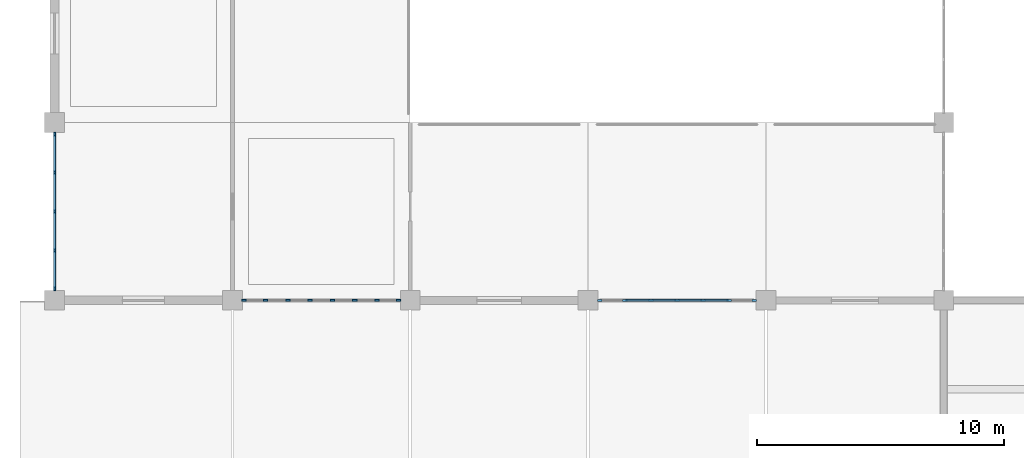
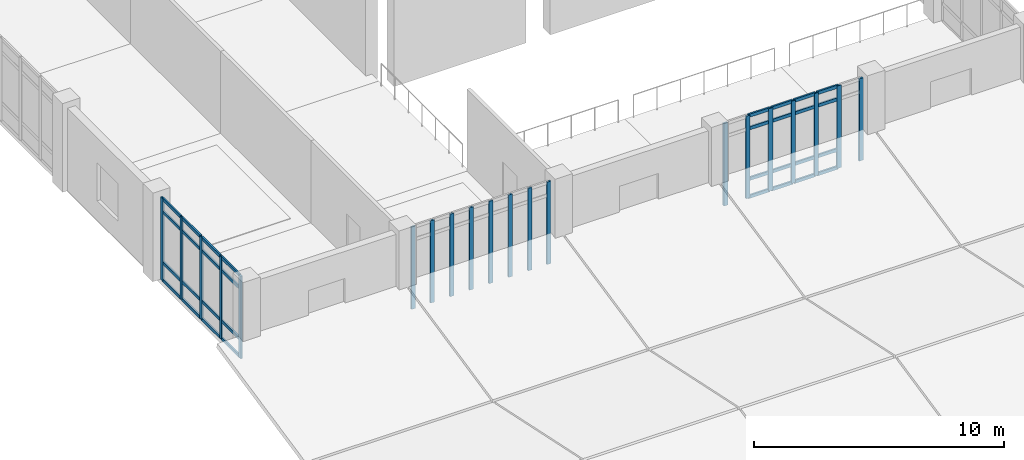
# One storey, part 2 of 70: 52 members, 3 elements without a shape of their own.
"""IFC4 building model written with IfcOpenShell, lengths in metres."""

from ifc_helpers import new_model, si_unit, direction, frame, origin, origin_2d, place, context, subcontext, project, spatial, rectangle, extrude, material, layer, layer_set, material_profile, profile_set, type_object, element, aggregate, save


model = new_model("IFC4")

# Units and contexts
model_context = context("Model", 3, precision=1e-05, world=origin(), true_north=direction((0.0, 1.0)))
body_context = subcontext(model_context, "Body", "Model", "MODEL_VIEW")
ifc_project = project(units=[si_unit("LENGTHUNIT", "METRE"), si_unit("AREAUNIT", "SQUARE_METRE"), si_unit("VOLUMEUNIT", "CUBIC_METRE"), si_unit("PLANEANGLEUNIT", "RADIAN"), si_unit("MASSUNIT", "GRAM", prefix="KILO")], contexts=[model_context])

# Site, building, storey
site_placement = place(None, origin())
site = spatial("IfcSite", under=ifc_project, at=site_placement, CompositionType="ELEMENT")
building_placement = place(site_placement, origin())
building = spatial("IfcBuilding", under=site, at=building_placement, Name="Kavelor Marine Aquarium", CompositionType="ELEMENT")
storey_placement = place(building_placement, frame((0.0, 0.0, 9.179931640625)))
storey = spatial("IfcBuildingStorey", under=building, at=storey_placement, Name="L02", CompositionType="ELEMENT", Elevation=9.179931640625)

# Curtain wall, members
ifc_material_1 = material(Name="Thermally Broken Aluminium and Low-E Glass", Category="aluminium")
ifc_layer_1 = layer(ifc_material_1, 0.243896484375)
ifc_layer_set_1 = layer_set([ifc_layer_1], Name="CW-SYS13")
curtain_wall_type_1 = type_object("IfcCurtainWallType", Name="CW-SYS13", PredefinedType="USERDEFINED", material=ifc_layer_set_1)
curtain_wall_1_placement = place(storey_placement, origin())
curtain_wall_1 = element("IfcCurtainWall", 1, at=curtain_wall_1_placement, inside=storey, type_object=curtain_wall_type_1, Name="cw:y:L02:00_03", ObjectType="Curtain Wall", PredefinedType="USERDEFINED")
ifc_material_2 = material(Name="Anodised Aluminium Alloy 6063-T6", Category="aluminium")
ifc_material_profile_1 = material_profile(ifc_material_2, rectangle(XDim=0.074951171875, YDim=0.179931640625, at=origin_2d()), Name="CW-MUL 75x180")
ifc_profile_set_1 = profile_set([ifc_material_profile_1], Name="Anodised Aluminium Alloy 6063-T6")
member_type_1 = type_object("IfcMemberType", Name="CWM-1", PredefinedType="MULLION", material=ifc_profile_set_1)
member_1_placement = place(storey_placement, frame((3.199951171875, 31.117431640625, 0.0), z_axis=(0.0, 0.0, 1.0), x_axis=(1.0, 0.0, 0.0)))
member_1 = element("IfcMember", 2, at=member_1_placement, type_object=member_type_1, Name="CW13 mullion 1", PredefinedType="MULLION", context=body_context, shape_type="SweptSolid", body=[
    extrude(rectangle(XDim=0.074951171875, YDim=0.179931640625, at=origin_2d()), origin(), (0.0, 0.0, 1.0), 4.02001953125),
])
member_2_placement = place(storey_placement, frame((3.199951171875, 29.577392578125, 0.0), z_axis=(0.0, 0.0, 1.0), x_axis=(1.0, 0.0, 0.0)))
member_2 = element("IfcMember", 3, at=member_2_placement, type_object=member_type_1, Name="CW13 mullion 2", PredefinedType="MULLION", context=body_context, shape_type="SweptSolid", body=[
    extrude(rectangle(XDim=0.074951171875, YDim=0.179931640625, at=origin_2d()), origin(), (0.0, 0.0, 1.0), 4.02001953125),
])
member_3_placement = place(storey_placement, frame((3.199951171875, 28.0, 0.0), z_axis=(0.0, 0.0, 1.0), x_axis=(1.0, 0.0, 0.0)))
member_3 = element("IfcMember", 4, at=member_3_placement, type_object=member_type_1, Name="CW13 mullion 3", PredefinedType="MULLION", context=body_context, shape_type="SweptSolid", body=[
    extrude(rectangle(XDim=0.074951171875, YDim=0.179931640625, at=origin_2d()), origin(), (0.0, 0.0, 1.0), 4.02001953125),
])
member_4_placement = place(storey_placement, frame((3.199951171875, 26.422607421875, 0.0), z_axis=(0.0, 0.0, 1.0), x_axis=(1.0, 0.0, 0.0)))
member_4 = element("IfcMember", 5, at=member_4_placement, type_object=member_type_1, Name="CW13 mullion 4", PredefinedType="MULLION", context=body_context, shape_type="SweptSolid", body=[
    extrude(rectangle(XDim=0.074951171875, YDim=0.179931640625, at=origin_2d()), origin(), (0.0, 0.0, 1.0), 4.02001953125),
])
member_5_placement = place(storey_placement, frame((3.199951171875, 24.882568359375, 0.0), z_axis=(0.0, 0.0, 1.0), x_axis=(1.0, 0.0, 0.0)))
member_5 = element("IfcMember", 6, at=member_5_placement, type_object=member_type_1, Name="CW13 mullion 5", PredefinedType="MULLION", context=body_context, shape_type="SweptSolid", body=[
    extrude(rectangle(XDim=0.074951171875, YDim=0.179931640625, at=origin_2d()), origin(), (0.0, 0.0, 1.0), 4.02001953125),
])

ifc_material_3 = material(Name="Thermally Broken Aluminium and Low-E Glass", Category="aluminium")
ifc_layer_2 = layer(ifc_material_3, 0.156005859375)
ifc_layer_set_2 = layer_set([ifc_layer_2], Name="CW-SYS2")
curtain_wall_type_2 = type_object("IfcCurtainWallType", Name="CW-SYS2", PredefinedType="USERDEFINED", material=ifc_layer_set_2)
curtain_wall_2_placement = place(storey_placement, origin())
curtain_wall_2 = element("IfcCurtainWall", 7, at=curtain_wall_2_placement, inside=storey, type_object=curtain_wall_type_2, Name="cw:x:L02:01_03", ObjectType="Curtain Wall", PredefinedType="USERDEFINED")
ifc_material_4 = material(Name="Anodised Aluminium Alloy 6063-T6", Category="aluminium")
ifc_material_profile_2 = material_profile(ifc_material_4, rectangle(XDim=0.080078125, YDim=0.18505859375, at=origin_2d()), Name="CW-MUL 80x185")
ifc_profile_set_2 = profile_set([ifc_material_profile_2], Name="Anodised Aluminium Alloy 6063-T6")
member_type_2 = type_object("IfcMemberType", Name="CWM-2", PredefinedType="MULLION", material=ifc_profile_set_2)
member_6_placement = place(storey_placement, frame((17.12255859375, 24.39990234375, 0.0), z_axis=(0.0, 0.0, 1.0), x_axis=(0.0, -1.0, 0.0)))
member_6 = element("IfcMember", 8, at=member_6_placement, type_object=member_type_2, Name="CW02 mullion 1", PredefinedType="MULLION", context=body_context, shape_type="SweptSolid", body=[
    extrude(rectangle(XDim=0.080078125, YDim=0.18505859375, at=origin_2d()), origin(), (0.0, 0.0, 1.0), 4.02001953125),
])
member_7_placement = place(storey_placement, frame((16.253662109375, 24.39990234375, 0.0), z_axis=(0.0, 0.0, 1.0), x_axis=(0.0, -1.0, 0.0)))
member_7 = element("IfcMember", 9, at=member_7_placement, type_object=member_type_2, Name="CW02 mullion 2", PredefinedType="MULLION", context=body_context, shape_type="SweptSolid", body=[
    extrude(rectangle(XDim=0.080078125, YDim=0.18505859375, at=origin_2d()), origin(), (0.0, 0.0, 1.0), 4.02001953125),
])
member_8_placement = place(storey_placement, frame((15.35205078125, 24.39990234375, 0.0), z_axis=(0.0, 0.0, 1.0), x_axis=(0.0, -1.0, 0.0)))
member_8 = element("IfcMember", 10, at=member_8_placement, type_object=member_type_2, Name="CW02 mullion 3", PredefinedType="MULLION", context=body_context, shape_type="SweptSolid", body=[
    extrude(rectangle(XDim=0.080078125, YDim=0.18505859375, at=origin_2d()), origin(), (0.0, 0.0, 1.0), 4.02001953125),
])
member_9_placement = place(storey_placement, frame((14.45068359375, 24.39990234375, 0.0), z_axis=(0.0, 0.0, 1.0), x_axis=(0.0, -1.0, 0.0)))
member_9 = element("IfcMember", 11, at=member_9_placement, type_object=member_type_2, Name="CW02 mullion 4", PredefinedType="MULLION", context=body_context, shape_type="SweptSolid", body=[
    extrude(rectangle(XDim=0.080078125, YDim=0.18505859375, at=origin_2d()), origin(), (0.0, 0.0, 1.0), 4.02001953125),
])
member_10_placement = place(storey_placement, frame((13.54931640625, 24.39990234375, 0.0), z_axis=(0.0, 0.0, 1.0), x_axis=(0.0, -1.0, 0.0)))
member_10 = element("IfcMember", 12, at=member_10_placement, type_object=member_type_2, Name="CW02 mullion 5", PredefinedType="MULLION", context=body_context, shape_type="SweptSolid", body=[
    extrude(rectangle(XDim=0.080078125, YDim=0.18505859375, at=origin_2d()), origin(), (0.0, 0.0, 1.0), 4.02001953125),
])
member_11_placement = place(storey_placement, frame((12.64794921875, 24.39990234375, 0.0), z_axis=(0.0, 0.0, 1.0), x_axis=(0.0, -1.0, 0.0)))
member_11 = element("IfcMember", 13, at=member_11_placement, type_object=member_type_2, Name="CW02 mullion 6", PredefinedType="MULLION", context=body_context, shape_type="SweptSolid", body=[
    extrude(rectangle(XDim=0.080078125, YDim=0.18505859375, at=origin_2d()), origin(), (0.0, 0.0, 1.0), 4.02001953125),
])
member_12_placement = place(storey_placement, frame((11.746337890625, 24.39990234375, 0.0), z_axis=(0.0, 0.0, 1.0), x_axis=(0.0, -1.0, 0.0)))
member_12 = element("IfcMember", 14, at=member_12_placement, type_object=member_type_2, Name="CW02 mullion 7", PredefinedType="MULLION", context=body_context, shape_type="SweptSolid", body=[
    extrude(rectangle(XDim=0.080078125, YDim=0.18505859375, at=origin_2d()), origin(), (0.0, 0.0, 1.0), 4.02001953125),
])
member_13_placement = place(storey_placement, frame((10.87744140625, 24.39990234375, 0.0), z_axis=(0.0, 0.0, 1.0), x_axis=(0.0, -1.0, 0.0)))
member_13 = element("IfcMember", 15, at=member_13_placement, type_object=member_type_2, Name="CW02 mullion 8", PredefinedType="MULLION", context=body_context, shape_type="SweptSolid", body=[
    extrude(rectangle(XDim=0.080078125, YDim=0.18505859375, at=origin_2d()), origin(), (0.0, 0.0, 1.0), 4.02001953125),
])
aggregate(curtain_wall_2, [member_6, member_7, member_8, member_9, member_10, member_11, member_12, member_13])

ifc_material_5 = material(Name="Thermally Broken Aluminium and Low-E Glass", Category="aluminium")
ifc_layer_3 = layer(ifc_material_5, 0.1640625)
ifc_layer_set_3 = layer_set([ifc_layer_3], Name="CW-SYS3")
curtain_wall_type_3 = type_object("IfcCurtainWallType", Name="CW-SYS3", PredefinedType="USERDEFINED", material=ifc_layer_set_3)
curtain_wall_3_placement = place(storey_placement, origin())
curtain_wall_3 = element("IfcCurtainWall", 16, at=curtain_wall_3_placement, inside=storey, type_object=curtain_wall_type_3, Name="cw:x:L02:03_03", ObjectType="Curtain Wall", PredefinedType="USERDEFINED")
ifc_material_6 = material(Name="Anodised Aluminium Alloy 6063-T6", Category="aluminium")
ifc_material_profile_3 = material_profile(ifc_material_6, rectangle(XDim=0.0849609375, YDim=0.18994140625, at=origin_2d()), Name="CW-MUL 85x190")
ifc_profile_set_3 = profile_set([ifc_material_profile_3], Name="Anodised Aluminium Alloy 6063-T6")
member_type_3 = type_object("IfcMemberType", Name="CWM-3", PredefinedType="MULLION", material=ifc_profile_set_3)
member_14_placement = place(storey_placement, frame((31.52490234375, 24.39990234375, 0.0), z_axis=(0.0, 0.0, 1.0), x_axis=(0.0, -1.0, 0.0)))
member_14 = element("IfcMember", 17, at=member_14_placement, type_object=member_type_3, Name="CW03 mullion 1", PredefinedType="MULLION", context=body_context, shape_type="SweptSolid", body=[
    extrude(rectangle(XDim=0.0849609375, YDim=0.18994140625, at=origin_2d()), origin(), (0.0, 0.0, 1.0), 4.02001953125),
])
member_15_placement = place(storey_placement, frame((30.50341796875, 24.39990234375, 0.0), z_axis=(0.0, 0.0, 1.0), x_axis=(0.0, -1.0, 0.0)))
member_15 = element("IfcMember", 18, at=member_15_placement, type_object=member_type_3, Name="CW03 mullion 2", PredefinedType="MULLION", context=body_context, shape_type="SweptSolid", body=[
    extrude(rectangle(XDim=0.0849609375, YDim=0.18994140625, at=origin_2d()), origin(), (0.0, 0.0, 1.0), 4.02001953125),
])
member_16_placement = place(storey_placement, frame((29.45166015625, 24.39990234375, 0.0), z_axis=(0.0, 0.0, 1.0), x_axis=(0.0, -1.0, 0.0)))
member_16 = element("IfcMember", 19, at=member_16_placement, type_object=member_type_3, Name="CW03 mullion 3", PredefinedType="MULLION", context=body_context, shape_type="SweptSolid", body=[
    extrude(rectangle(XDim=0.0849609375, YDim=0.18994140625, at=origin_2d()), origin(), (0.0, 0.0, 1.0), 4.02001953125),
])
member_17_placement = place(storey_placement, frame((28.39990234375, 24.39990234375, 0.0), z_axis=(0.0, 0.0, 1.0), x_axis=(0.0, -1.0, 0.0)))
member_17 = element("IfcMember", 20, at=member_17_placement, type_object=member_type_3, Name="CW03 mullion 4", PredefinedType="MULLION", context=body_context, shape_type="SweptSolid", body=[
    extrude(rectangle(XDim=0.0849609375, YDim=0.18994140625, at=origin_2d()), origin(), (0.0, 0.0, 1.0), 4.02001953125),
])
member_18_placement = place(storey_placement, frame((27.348388671875, 24.39990234375, 0.0), z_axis=(0.0, 0.0, 1.0), x_axis=(0.0, -1.0, 0.0)))
member_18 = element("IfcMember", 21, at=member_18_placement, type_object=member_type_3, Name="CW03 mullion 5", PredefinedType="MULLION", context=body_context, shape_type="SweptSolid", body=[
    extrude(rectangle(XDim=0.0849609375, YDim=0.18994140625, at=origin_2d()), origin(), (0.0, 0.0, 1.0), 4.02001953125),
])
member_19_placement = place(storey_placement, frame((26.296630859375, 24.39990234375, 0.0), z_axis=(0.0, 0.0, 1.0), x_axis=(0.0, -1.0, 0.0)))
member_19 = element("IfcMember", 22, at=member_19_placement, type_object=member_type_3, Name="CW03 mullion 6", PredefinedType="MULLION", context=body_context, shape_type="SweptSolid", body=[
    extrude(rectangle(XDim=0.0849609375, YDim=0.18994140625, at=origin_2d()), origin(), (0.0, 0.0, 1.0), 4.02001953125),
])
member_20_placement = place(storey_placement, frame((25.27490234375, 24.39990234375, 0.0), z_axis=(0.0, 0.0, 1.0), x_axis=(0.0, -1.0, 0.0)))
member_20 = element("IfcMember", 23, at=member_20_placement, type_object=member_type_3, Name="CW03 mullion 7", PredefinedType="MULLION", context=body_context, shape_type="SweptSolid", body=[
    extrude(rectangle(XDim=0.0849609375, YDim=0.18994140625, at=origin_2d()), origin(), (0.0, 0.0, 1.0), 4.02001953125),
])

# Member
ifc_material_7 = material(Name="Anodised Aluminium Alloy 6063-T6", Category="aluminium")
ifc_material_profile_4 = material_profile(ifc_material_7, rectangle(XDim=0.074951171875, YDim=0.14990234375, at=origin_2d()), Name="CW-TRN 75x150")
ifc_profile_set_4 = profile_set([ifc_material_profile_4], Name="Anodised Aluminium Alloy 6063-T6")
member_type_4 = type_object("IfcMemberType", Name="CWT-1", PredefinedType="USERDEFINED", material=ifc_profile_set_4)
member_21_placement = place(storey_placement, frame((3.199951171875, 31.080078125, 0.03759765625), z_axis=(0.0, -1.0, 0.0), x_axis=(1.0, 0.0, 0.0)))
member_21 = element("IfcMember", 24, at=member_21_placement, type_object=member_type_4, Name="CW13 transom 1.1", ObjectType="TRANSOM", PredefinedType="USERDEFINED", context=body_context, shape_type="SweptSolid", body=[
    extrude(rectangle(XDim=0.074951171875, YDim=0.14990234375, at=origin_2d()), origin(), (0.0, 0.0, 1.0), 1.465087890625),
])

member_22_placement = place(storey_placement, frame((3.199951171875, 31.080078125, 0.900146484375), z_axis=(0.0, -1.0, 0.0), x_axis=(1.0, 0.0, 0.0)))
member_22 = element("IfcMember", 25, at=member_22_placement, type_object=member_type_4, Name="CW13 transom 1.2", ObjectType="TRANSOM", PredefinedType="USERDEFINED", context=body_context, shape_type="SweptSolid", body=[
    extrude(rectangle(XDim=0.074951171875, YDim=0.14990234375, at=origin_2d()), origin(), (0.0, 0.0, 1.0), 1.465087890625),
])

member_23_placement = place(storey_placement, frame((3.199951171875, 31.080078125, 3.3701171875), z_axis=(0.0, -1.0, 0.0), x_axis=(1.0, 0.0, 0.0)))
member_23 = element("IfcMember", 26, at=member_23_placement, type_object=member_type_4, Name="CW13 transom 1.3", ObjectType="TRANSOM", PredefinedType="USERDEFINED", context=body_context, shape_type="SweptSolid", body=[
    extrude(rectangle(XDim=0.074951171875, YDim=0.14990234375, at=origin_2d()), origin(), (0.0, 0.0, 1.0), 1.465087890625),
])

member_24_placement = place(storey_placement, frame((3.199951171875, 31.080078125, 3.982666015625), z_axis=(0.0, -1.0, 0.0), x_axis=(1.0, 0.0, 0.0)))
member_24 = element("IfcMember", 27, at=member_24_placement, type_object=member_type_4, Name="CW13 transom 1.4", ObjectType="TRANSOM", PredefinedType="USERDEFINED", context=body_context, shape_type="SweptSolid", body=[
    extrude(rectangle(XDim=0.074951171875, YDim=0.14990234375, at=origin_2d()), origin(), (0.0, 0.0, 1.0), 1.465087890625),
])

member_25_placement = place(storey_placement, frame((3.199951171875, 29.5400390625, 0.03759765625), z_axis=(0.0, -1.0, 0.0), x_axis=(1.0, 0.0, 0.0)))
member_25 = element("IfcMember", 28, at=member_25_placement, type_object=member_type_4, Name="CW13 transom 2.1", ObjectType="TRANSOM", PredefinedType="USERDEFINED", context=body_context, shape_type="SweptSolid", body=[
    extrude(rectangle(XDim=0.074951171875, YDim=0.14990234375, at=origin_2d()), origin(), (0.0, 0.0, 1.0), 1.50244140625),
])

member_26_placement = place(storey_placement, frame((3.199951171875, 29.5400390625, 0.900146484375), z_axis=(0.0, -1.0, 0.0), x_axis=(1.0, 0.0, 0.0)))
member_26 = element("IfcMember", 29, at=member_26_placement, type_object=member_type_4, Name="CW13 transom 2.2", ObjectType="TRANSOM", PredefinedType="USERDEFINED", context=body_context, shape_type="SweptSolid", body=[
    extrude(rectangle(XDim=0.074951171875, YDim=0.14990234375, at=origin_2d()), origin(), (0.0, 0.0, 1.0), 1.50244140625),
])

member_27_placement = place(storey_placement, frame((3.199951171875, 29.5400390625, 3.3701171875), z_axis=(0.0, -1.0, 0.0), x_axis=(1.0, 0.0, 0.0)))
member_27 = element("IfcMember", 30, at=member_27_placement, type_object=member_type_4, Name="CW13 transom 2.3", ObjectType="TRANSOM", PredefinedType="USERDEFINED", context=body_context, shape_type="SweptSolid", body=[
    extrude(rectangle(XDim=0.074951171875, YDim=0.14990234375, at=origin_2d()), origin(), (0.0, 0.0, 1.0), 1.50244140625),
])

member_28_placement = place(storey_placement, frame((3.199951171875, 29.5400390625, 3.982666015625), z_axis=(0.0, -1.0, 0.0), x_axis=(1.0, 0.0, 0.0)))
member_28 = element("IfcMember", 31, at=member_28_placement, type_object=member_type_4, Name="CW13 transom 2.4", ObjectType="TRANSOM", PredefinedType="USERDEFINED", context=body_context, shape_type="SweptSolid", body=[
    extrude(rectangle(XDim=0.074951171875, YDim=0.14990234375, at=origin_2d()), origin(), (0.0, 0.0, 1.0), 1.50244140625),
])

member_29_placement = place(storey_placement, frame((3.199951171875, 27.96240234375, 0.03759765625), z_axis=(0.0, -1.0, 0.0), x_axis=(1.0, 0.0, 0.0)))
member_29 = element("IfcMember", 32, at=member_29_placement, type_object=member_type_4, Name="CW13 transom 3.1", ObjectType="TRANSOM", PredefinedType="USERDEFINED", context=body_context, shape_type="SweptSolid", body=[
    extrude(rectangle(XDim=0.074951171875, YDim=0.14990234375, at=origin_2d()), origin(), (0.0, 0.0, 1.0), 1.50244140625),
])

member_30_placement = place(storey_placement, frame((3.199951171875, 27.96240234375, 0.900146484375), z_axis=(0.0, -1.0, 0.0), x_axis=(1.0, 0.0, 0.0)))
member_30 = element("IfcMember", 33, at=member_30_placement, type_object=member_type_4, Name="CW13 transom 3.2", ObjectType="TRANSOM", PredefinedType="USERDEFINED", context=body_context, shape_type="SweptSolid", body=[
    extrude(rectangle(XDim=0.074951171875, YDim=0.14990234375, at=origin_2d()), origin(), (0.0, 0.0, 1.0), 1.50244140625),
])

member_31_placement = place(storey_placement, frame((3.199951171875, 27.96240234375, 3.3701171875), z_axis=(0.0, -1.0, 0.0), x_axis=(1.0, 0.0, 0.0)))
member_31 = element("IfcMember", 34, at=member_31_placement, type_object=member_type_4, Name="CW13 transom 3.3", ObjectType="TRANSOM", PredefinedType="USERDEFINED", context=body_context, shape_type="SweptSolid", body=[
    extrude(rectangle(XDim=0.074951171875, YDim=0.14990234375, at=origin_2d()), origin(), (0.0, 0.0, 1.0), 1.50244140625),
])

member_32_placement = place(storey_placement, frame((3.199951171875, 27.96240234375, 3.982666015625), z_axis=(0.0, -1.0, 0.0), x_axis=(1.0, 0.0, 0.0)))
member_32 = element("IfcMember", 35, at=member_32_placement, type_object=member_type_4, Name="CW13 transom 3.4", ObjectType="TRANSOM", PredefinedType="USERDEFINED", context=body_context, shape_type="SweptSolid", body=[
    extrude(rectangle(XDim=0.074951171875, YDim=0.14990234375, at=origin_2d()), origin(), (0.0, 0.0, 1.0), 1.50244140625),
])

member_33_placement = place(storey_placement, frame((3.199951171875, 26.385009765625, 0.03759765625), z_axis=(0.0, -1.0, 0.0), x_axis=(1.0, 0.0, 0.0)))
member_33 = element("IfcMember", 36, at=member_33_placement, type_object=member_type_4, Name="CW13 transom 4.1", ObjectType="TRANSOM", PredefinedType="USERDEFINED", context=body_context, shape_type="SweptSolid", body=[
    extrude(rectangle(XDim=0.074951171875, YDim=0.14990234375, at=origin_2d()), origin(), (0.0, 0.0, 1.0), 1.465087890625),
])

member_34_placement = place(storey_placement, frame((3.199951171875, 26.385009765625, 0.900146484375), z_axis=(0.0, -1.0, 0.0), x_axis=(1.0, 0.0, 0.0)))
member_34 = element("IfcMember", 37, at=member_34_placement, type_object=member_type_4, Name="CW13 transom 4.2", ObjectType="TRANSOM", PredefinedType="USERDEFINED", context=body_context, shape_type="SweptSolid", body=[
    extrude(rectangle(XDim=0.074951171875, YDim=0.14990234375, at=origin_2d()), origin(), (0.0, 0.0, 1.0), 1.465087890625),
])

member_35_placement = place(storey_placement, frame((3.199951171875, 26.385009765625, 3.3701171875), z_axis=(0.0, -1.0, 0.0), x_axis=(1.0, 0.0, 0.0)))
member_35 = element("IfcMember", 38, at=member_35_placement, type_object=member_type_4, Name="CW13 transom 4.3", ObjectType="TRANSOM", PredefinedType="USERDEFINED", context=body_context, shape_type="SweptSolid", body=[
    extrude(rectangle(XDim=0.074951171875, YDim=0.14990234375, at=origin_2d()), origin(), (0.0, 0.0, 1.0), 1.465087890625),
])

member_36_placement = place(storey_placement, frame((3.199951171875, 26.385009765625, 3.982666015625), z_axis=(0.0, -1.0, 0.0), x_axis=(1.0, 0.0, 0.0)))
member_36 = element("IfcMember", 39, at=member_36_placement, type_object=member_type_4, Name="CW13 transom 4.4", ObjectType="TRANSOM", PredefinedType="USERDEFINED", context=body_context, shape_type="SweptSolid", body=[
    extrude(rectangle(XDim=0.074951171875, YDim=0.14990234375, at=origin_2d()), origin(), (0.0, 0.0, 1.0), 1.465087890625),
])

aggregate(curtain_wall_1, [member_1, member_2, member_3, member_4, member_5, member_21, member_22, member_23, member_24, member_25, member_26, member_27, member_28, member_29, member_30, member_31, member_32, member_33, member_34, member_35, member_36])

ifc_material_8 = material(Name="Anodised Aluminium Alloy 6063-T6", Category="aluminium")
ifc_material_profile_5 = material_profile(ifc_material_8, rectangle(XDim=0.080078125, YDim=0.155029296875, at=origin_2d()), Name="CW-TRN 80x155")
ifc_profile_set_5 = profile_set([ifc_material_profile_5], Name="Anodised Aluminium Alloy 6063-T6")
member_type_5 = type_object("IfcMemberType", Name="CWT-2", PredefinedType="USERDEFINED", material=ifc_profile_set_5)
member_37_placement = place(storey_placement, frame((30.473388671875, 24.39990234375, 0.032470703125), z_axis=(-1.0, 0.0, 0.0), x_axis=(0.0, -1.0, 0.0)))
member_37 = element("IfcMember", 40, at=member_37_placement, type_object=member_type_5, Name="CW03 transom 2.1", ObjectType="TRANSOM", PredefinedType="USERDEFINED", context=body_context, shape_type="SweptSolid", body=[
    extrude(rectangle(XDim=0.080078125, YDim=0.155029296875, at=origin_2d()), origin(), (0.0, 0.0, 1.0), 0.99169921875),
])

member_38_placement = place(storey_placement, frame((30.473388671875, 24.39990234375, 0.900146484375), z_axis=(-1.0, 0.0, 0.0), x_axis=(0.0, -1.0, 0.0)))
member_38 = element("IfcMember", 41, at=member_38_placement, type_object=member_type_5, Name="CW03 transom 2.2", ObjectType="TRANSOM", PredefinedType="USERDEFINED", context=body_context, shape_type="SweptSolid", body=[
    extrude(rectangle(XDim=0.080078125, YDim=0.155029296875, at=origin_2d()), origin(), (0.0, 0.0, 1.0), 0.99169921875),
])

member_39_placement = place(storey_placement, frame((30.473388671875, 24.39990234375, 3.3701171875), z_axis=(-1.0, 0.0, 0.0), x_axis=(0.0, -1.0, 0.0)))
member_39 = element("IfcMember", 42, at=member_39_placement, type_object=member_type_5, Name="CW03 transom 2.3", ObjectType="TRANSOM", PredefinedType="USERDEFINED", context=body_context, shape_type="SweptSolid", body=[
    extrude(rectangle(XDim=0.080078125, YDim=0.155029296875, at=origin_2d()), origin(), (0.0, 0.0, 1.0), 0.99169921875),
])

member_40_placement = place(storey_placement, frame((30.473388671875, 24.39990234375, 3.987548828125), z_axis=(-1.0, 0.0, 0.0), x_axis=(0.0, -1.0, 0.0)))
member_40 = element("IfcMember", 43, at=member_40_placement, type_object=member_type_5, Name="CW03 transom 2.4", ObjectType="TRANSOM", PredefinedType="USERDEFINED", context=body_context, shape_type="SweptSolid", body=[
    extrude(rectangle(XDim=0.080078125, YDim=0.155029296875, at=origin_2d()), origin(), (0.0, 0.0, 1.0), 0.99169921875),
])

member_41_placement = place(storey_placement, frame((29.421630859375, 24.39990234375, 0.032470703125), z_axis=(-1.0, 0.0, 0.0), x_axis=(0.0, -1.0, 0.0)))
member_41 = element("IfcMember", 44, at=member_41_placement, type_object=member_type_5, Name="CW03 transom 3.1", ObjectType="TRANSOM", PredefinedType="USERDEFINED", context=body_context, shape_type="SweptSolid", body=[
    extrude(rectangle(XDim=0.080078125, YDim=0.155029296875, at=origin_2d()), origin(), (0.0, 0.0, 1.0), 0.99169921875),
])

member_42_placement = place(storey_placement, frame((29.421630859375, 24.39990234375, 0.900146484375), z_axis=(-1.0, 0.0, 0.0), x_axis=(0.0, -1.0, 0.0)))
member_42 = element("IfcMember", 45, at=member_42_placement, type_object=member_type_5, Name="CW03 transom 3.2", ObjectType="TRANSOM", PredefinedType="USERDEFINED", context=body_context, shape_type="SweptSolid", body=[
    extrude(rectangle(XDim=0.080078125, YDim=0.155029296875, at=origin_2d()), origin(), (0.0, 0.0, 1.0), 0.99169921875),
])

member_43_placement = place(storey_placement, frame((29.421630859375, 24.39990234375, 3.3701171875), z_axis=(-1.0, 0.0, 0.0), x_axis=(0.0, -1.0, 0.0)))
member_43 = element("IfcMember", 46, at=member_43_placement, type_object=member_type_5, Name="CW03 transom 3.3", ObjectType="TRANSOM", PredefinedType="USERDEFINED", context=body_context, shape_type="SweptSolid", body=[
    extrude(rectangle(XDim=0.080078125, YDim=0.155029296875, at=origin_2d()), origin(), (0.0, 0.0, 1.0), 0.99169921875),
])

member_44_placement = place(storey_placement, frame((29.421630859375, 24.39990234375, 3.987548828125), z_axis=(-1.0, 0.0, 0.0), x_axis=(0.0, -1.0, 0.0)))
member_44 = element("IfcMember", 47, at=member_44_placement, type_object=member_type_5, Name="CW03 transom 3.4", ObjectType="TRANSOM", PredefinedType="USERDEFINED", context=body_context, shape_type="SweptSolid", body=[
    extrude(rectangle(XDim=0.080078125, YDim=0.155029296875, at=origin_2d()), origin(), (0.0, 0.0, 1.0), 0.99169921875),
])

member_45_placement = place(storey_placement, frame((28.3701171875, 24.39990234375, 0.032470703125), z_axis=(-1.0, 0.0, 0.0), x_axis=(0.0, -1.0, 0.0)))
member_45 = element("IfcMember", 48, at=member_45_placement, type_object=member_type_5, Name="CW03 transom 4.1", ObjectType="TRANSOM", PredefinedType="USERDEFINED", context=body_context, shape_type="SweptSolid", body=[
    extrude(rectangle(XDim=0.080078125, YDim=0.155029296875, at=origin_2d()), origin(), (0.0, 0.0, 1.0), 0.99169921875),
])

member_46_placement = place(storey_placement, frame((28.3701171875, 24.39990234375, 0.900146484375), z_axis=(-1.0, 0.0, 0.0), x_axis=(0.0, -1.0, 0.0)))
member_46 = element("IfcMember", 49, at=member_46_placement, type_object=member_type_5, Name="CW03 transom 4.2", ObjectType="TRANSOM", PredefinedType="USERDEFINED", context=body_context, shape_type="SweptSolid", body=[
    extrude(rectangle(XDim=0.080078125, YDim=0.155029296875, at=origin_2d()), origin(), (0.0, 0.0, 1.0), 0.99169921875),
])

member_47_placement = place(storey_placement, frame((28.3701171875, 24.39990234375, 3.3701171875), z_axis=(-1.0, 0.0, 0.0), x_axis=(0.0, -1.0, 0.0)))
member_47 = element("IfcMember", 50, at=member_47_placement, type_object=member_type_5, Name="CW03 transom 4.3", ObjectType="TRANSOM", PredefinedType="USERDEFINED", context=body_context, shape_type="SweptSolid", body=[
    extrude(rectangle(XDim=0.080078125, YDim=0.155029296875, at=origin_2d()), origin(), (0.0, 0.0, 1.0), 0.99169921875),
])

member_48_placement = place(storey_placement, frame((28.3701171875, 24.39990234375, 3.987548828125), z_axis=(-1.0, 0.0, 0.0), x_axis=(0.0, -1.0, 0.0)))
member_48 = element("IfcMember", 51, at=member_48_placement, type_object=member_type_5, Name="CW03 transom 4.4", ObjectType="TRANSOM", PredefinedType="USERDEFINED", context=body_context, shape_type="SweptSolid", body=[
    extrude(rectangle(XDim=0.080078125, YDim=0.155029296875, at=origin_2d()), origin(), (0.0, 0.0, 1.0), 0.99169921875),
])

member_49_placement = place(storey_placement, frame((27.318359375, 24.39990234375, 0.032470703125), z_axis=(-1.0, 0.0, 0.0), x_axis=(0.0, -1.0, 0.0)))
member_49 = element("IfcMember", 52, at=member_49_placement, type_object=member_type_5, Name="CW03 transom 5.1", ObjectType="TRANSOM", PredefinedType="USERDEFINED", context=body_context, shape_type="SweptSolid", body=[
    extrude(rectangle(XDim=0.080078125, YDim=0.155029296875, at=origin_2d()), origin(), (0.0, 0.0, 1.0), 0.99169921875),
])

member_50_placement = place(storey_placement, frame((27.318359375, 24.39990234375, 0.900146484375), z_axis=(-1.0, 0.0, 0.0), x_axis=(0.0, -1.0, 0.0)))
member_50 = element("IfcMember", 53, at=member_50_placement, type_object=member_type_5, Name="CW03 transom 5.2", ObjectType="TRANSOM", PredefinedType="USERDEFINED", context=body_context, shape_type="SweptSolid", body=[
    extrude(rectangle(XDim=0.080078125, YDim=0.155029296875, at=origin_2d()), origin(), (0.0, 0.0, 1.0), 0.99169921875),
])

member_51_placement = place(storey_placement, frame((27.318359375, 24.39990234375, 3.3701171875), z_axis=(-1.0, 0.0, 0.0), x_axis=(0.0, -1.0, 0.0)))
member_51 = element("IfcMember", 54, at=member_51_placement, type_object=member_type_5, Name="CW03 transom 5.3", ObjectType="TRANSOM", PredefinedType="USERDEFINED", context=body_context, shape_type="SweptSolid", body=[
    extrude(rectangle(XDim=0.080078125, YDim=0.155029296875, at=origin_2d()), origin(), (0.0, 0.0, 1.0), 0.99169921875),
])

member_52_placement = place(storey_placement, frame((27.318359375, 24.39990234375, 3.987548828125), z_axis=(-1.0, 0.0, 0.0), x_axis=(0.0, -1.0, 0.0)))
member_52 = element("IfcMember", 55, at=member_52_placement, type_object=member_type_5, Name="CW03 transom 5.4", ObjectType="TRANSOM", PredefinedType="USERDEFINED", context=body_context, shape_type="SweptSolid", body=[
    extrude(rectangle(XDim=0.080078125, YDim=0.155029296875, at=origin_2d()), origin(), (0.0, 0.0, 1.0), 0.99169921875),
])

aggregate(curtain_wall_3, [member_14, member_15, member_16, member_17, member_18, member_19, member_20, member_37, member_38, member_39, member_40, member_41, member_42, member_43, member_44, member_45, member_46, member_47, member_48, member_49, member_50, member_51, member_52])

save(model, "model.ifc")
